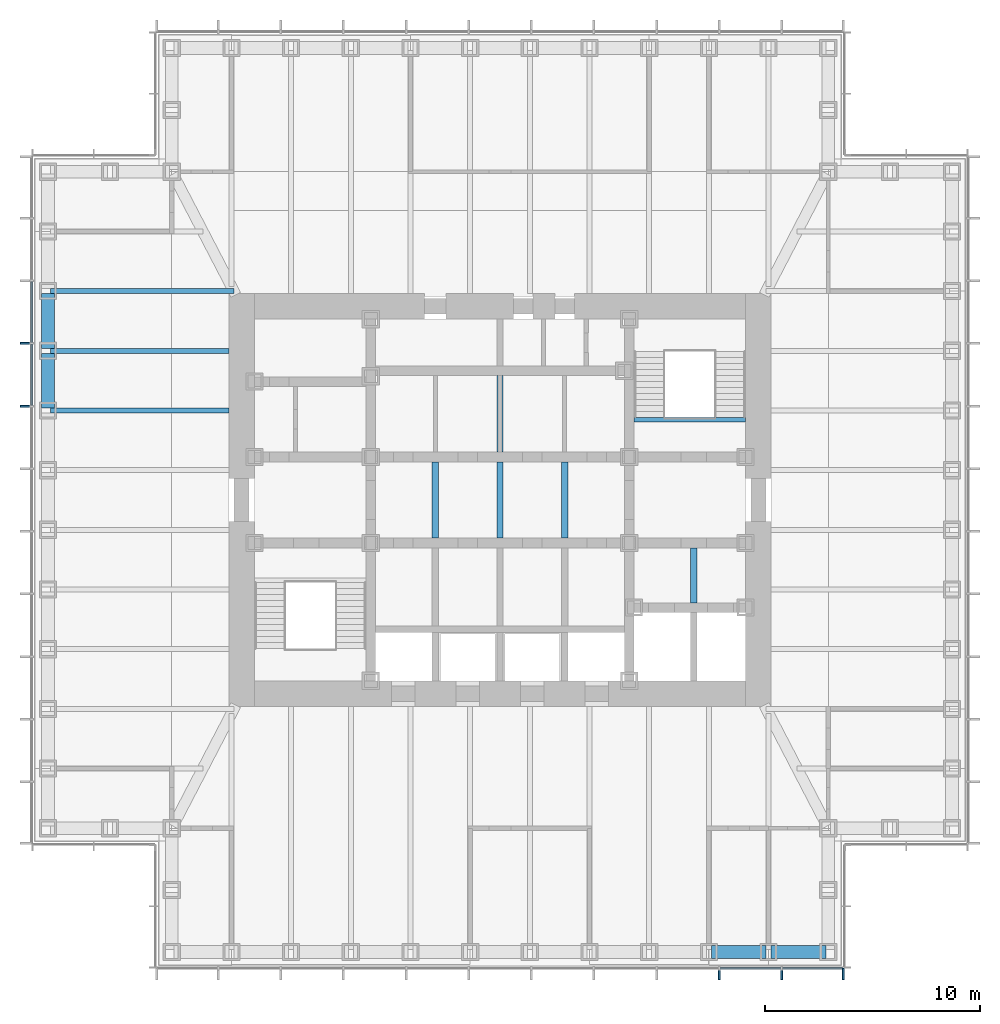
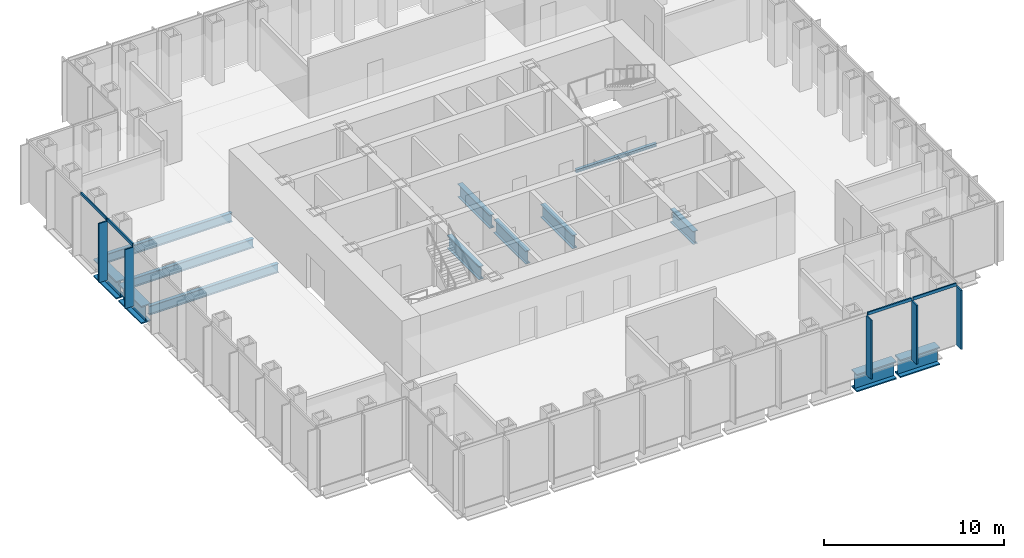
# One storey, part 3 of 16: 13 beams, 9 members, 2 elements without a shape of their own.
"""IFC4 building model written with IfcOpenShell, lengths in metres."""

from ifc_helpers import new_model, si_unit, direction, frame, origin, origin_2d, place, context, subcontext, project, spatial, rectangle, i_section, extrude, material, material_profile, profile_set, type_object, element, aggregate, save


model = new_model("IFC4")

# Units and contexts
model_context = context("Model", 3, precision=1e-05, world=origin(), true_north=direction((0.0, 1.0)))
body_context = subcontext(model_context, "Body", "Model", "MODEL_VIEW")
ifc_project = project(units=[si_unit("LENGTHUNIT", "METRE"), si_unit("AREAUNIT", "SQUARE_METRE"), si_unit("VOLUMEUNIT", "CUBIC_METRE"), si_unit("PLANEANGLEUNIT", "RADIAN"), si_unit("MASSUNIT", "GRAM", prefix="KILO")], contexts=[model_context])

# Site, building, storey
site_placement = place(None, origin())
site = spatial("IfcSite", under=ifc_project, at=site_placement, CompositionType="ELEMENT")
building_placement = place(site_placement, origin())
building = spatial("IfcBuilding", under=site, at=building_placement, Name="Daluyong Arena Tower", CompositionType="ELEMENT")
storey_placement = place(building_placement, frame((0.0, 0.0, 258.699951171875)))
storey = spatial("IfcBuildingStorey", under=building, at=storey_placement, Name="L58", CompositionType="ELEMENT", Elevation=258.699951171875)

# Curtain wall, members
ifc_material_1 = material(Name="Bronze anodised aluminium and glass", Category="aluminium")
curtain_wall_type = type_object("IfcCurtainWallType", Name="Curtain wall CW4", PredefinedType="USERDEFINED", material=ifc_material_1)
curtain_wall_1_placement = place(storey_placement, origin())
curtain_wall_1 = element("IfcCurtainWall", 1, at=curtain_wall_1_placement, inside=storey, type_object=curtain_wall_type, Name="curtain wall L58 S", ObjectType="UNITISED CURTAIN WALL", PredefinedType="USERDEFINED")
ifc_material_2 = material(Name="Bronze anodised aluminium fin", Category="aluminium")
ifc_material_profile_1 = material_profile(ifc_material_2, rectangle(XDim=0.550048828125, YDim=0.090087890625, at=origin_2d()))
ifc_profile_set_1 = profile_set([ifc_material_profile_1], Name="Bronze anodised aluminium fin")
member_type_1 = type_object("IfcMemberType", Name="CW4 bronze fin 550x90", PredefinedType="MULLION", material=ifc_profile_set_1)
member_1_placement = place(storey_placement, frame((66.181884765625, 57.97509765625, 0.0), z_axis=(0.0, 0.0, 1.0), x_axis=(0.0, 1.0, 0.0)))
member_1 = element("IfcMember", 2, at=member_1_placement, type_object=member_type_1, Name="curtain wall L58 S fin 10", PredefinedType="MULLION", context=body_context, shape_type="SweptSolid", body=[
    extrude(rectangle(XDim=0.550048828125, YDim=0.090087890625, at=origin_2d()), origin(), (0.0, 0.0, 1.0), 4.0),
])
member_2_placement = place(storey_placement, frame((69.0908203125, 57.97509765625, 0.0), z_axis=(0.0, 0.0, 1.0), x_axis=(0.0, 1.0, 0.0)))
member_2 = element("IfcMember", 3, at=member_2_placement, type_object=member_type_1, Name="curtain wall L58 S fin 11", PredefinedType="MULLION", context=body_context, shape_type="SweptSolid", body=[
    extrude(rectangle(XDim=0.550048828125, YDim=0.090087890625, at=origin_2d()), origin(), (0.0, 0.0, 1.0), 4.0),
])
member_3_placement = place(storey_placement, frame((71.955078125, 57.97509765625, 0.0), z_axis=(0.0, 0.0, 1.0), x_axis=(0.0, 1.0, 0.0)))
member_3 = element("IfcMember", 4, at=member_3_placement, type_object=member_type_1, Name="curtain wall L58 S fin 12", PredefinedType="MULLION", context=body_context, shape_type="SweptSolid", body=[
    extrude(rectangle(XDim=0.550048828125, YDim=0.090087890625, at=origin_2d()), origin(), (0.0, 0.0, 1.0), 4.0),
])

curtain_wall_2_placement = place(storey_placement, origin())
curtain_wall_2 = element("IfcCurtainWall", 5, at=curtain_wall_2_placement, inside=storey, type_object=curtain_wall_type, Name="curtain wall L58 W", ObjectType="UNITISED CURTAIN WALL", PredefinedType="USERDEFINED")
member_4_placement = place(storey_placement, frame((33.97509765625, 87.272705078125, 0.0), z_axis=(0.0, 0.0, 1.0), x_axis=(1.0, 0.0, 0.0)))
member_4 = element("IfcMember", 6, at=member_4_placement, type_object=member_type_1, Name="curtain wall L58 W fin 4", PredefinedType="MULLION", context=body_context, shape_type="SweptSolid", body=[
    extrude(rectangle(XDim=0.550048828125, YDim=0.090087890625, at=origin_2d()), origin(), (0.0, 0.0, 1.0), 4.0),
])
member_5_placement = place(storey_placement, frame((33.97509765625, 84.363525390625, 0.0), z_axis=(0.0, 0.0, 1.0), x_axis=(1.0, 0.0, 0.0)))
member_5 = element("IfcMember", 7, at=member_5_placement, type_object=member_type_1, Name="curtain wall L58 W fin 5", PredefinedType="MULLION", context=body_context, shape_type="SweptSolid", body=[
    extrude(rectangle(XDim=0.550048828125, YDim=0.090087890625, at=origin_2d()), origin(), (0.0, 0.0, 1.0), 4.0),
])

# Member
ifc_material_3 = material(Name="Bronze anodised aluminium", Category="aluminium")
ifc_material_profile_2 = material_profile(ifc_material_3, rectangle(XDim=0.090087890625, YDim=0.199951171875, at=origin_2d()))
ifc_profile_set_2 = profile_set([ifc_material_profile_2], Name="Bronze anodised aluminium")
member_type_2 = type_object("IfcMemberType", Name="CW4 stack transom 200x90", PredefinedType="USERDEFINED", material=ifc_profile_set_2)
member_6_placement = place(storey_placement, frame((66.226806640625, 58.25, 4.10009765625), z_axis=(1.0, 0.0, 0.0), x_axis=(0.0, 1.0, 0.0)))
member_6 = element("IfcMember", 8, at=member_6_placement, type_object=member_type_2, Name="curtain wall L58 S transom 10", ObjectType="TRANSOM", PredefinedType="USERDEFINED", context=body_context, shape_type="SweptSolid", body=[
    extrude(rectangle(XDim=0.090087890625, YDim=0.199951171875, at=origin_2d()), origin(), (0.0, 0.0, 1.0), 2.819091796875),
])

member_7_placement = place(storey_placement, frame((69.135986328125, 58.25, 4.10009765625), z_axis=(1.0, 0.0, 0.0), x_axis=(0.0, 1.0, 0.0)))
member_7 = element("IfcMember", 9, at=member_7_placement, type_object=member_type_2, Name="curtain wall L58 S transom 11", ObjectType="TRANSOM", PredefinedType="USERDEFINED", context=body_context, shape_type="SweptSolid", body=[
    extrude(rectangle(XDim=0.090087890625, YDim=0.199951171875, at=origin_2d()), origin(), (0.0, 0.0, 1.0), 2.77392578125),
])

aggregate(curtain_wall_1, [member_1, member_2, member_3, member_6, member_7])

member_8_placement = place(storey_placement, frame((34.25, 90.13671875, 4.10009765625), z_axis=(0.0, -1.0, 0.0), x_axis=(1.0, 0.0, 0.0)))
member_8 = element("IfcMember", 10, at=member_8_placement, type_object=member_type_2, Name="curtain wall L58 W transom 3", ObjectType="TRANSOM", PredefinedType="USERDEFINED", context=body_context, shape_type="SweptSolid", body=[
    extrude(rectangle(XDim=0.090087890625, YDim=0.199951171875, at=origin_2d()), origin(), (0.0, 0.0, 1.0), 2.819091796875),
])

member_9_placement = place(storey_placement, frame((34.25, 87.227783203125, 4.10009765625), z_axis=(0.0, -1.0, 0.0), x_axis=(1.0, 0.0, 0.0)))
member_9 = element("IfcMember", 11, at=member_9_placement, type_object=member_type_2, Name="curtain wall L58 W transom 4", ObjectType="TRANSOM", PredefinedType="USERDEFINED", context=body_context, shape_type="SweptSolid", body=[
    extrude(rectangle(XDim=0.090087890625, YDim=0.199951171875, at=origin_2d()), origin(), (0.0, 0.0, 1.0), 2.819091796875),
])

aggregate(curtain_wall_2, [member_4, member_5, member_8, member_9])

# Beams
ifc_material_4 = material(Name="Steel ASTM A992 Grade 50", Category="steel")
ifc_material_profile_3 = material_profile(ifc_material_4, i_section(OverallWidth=0.22900390625, OverallDepth=0.612060546875, WebThickness=0.011962890625, FlangeThickness=0.01953125, at=origin_2d()))
ifc_profile_set_3 = profile_set([ifc_material_profile_3], Name="Steel ASTM A992 Grade 50")
beam_type_1 = type_object("IfcBeamType", Name="Floor beam W24X84", PredefinedType="BEAM", material=ifc_profile_set_3)
beam_1_placement = place(storey_placement, frame((35.114990234375, 89.70458984375, -0.466064453125), z_axis=(1.0, 0.0, 0.0), x_axis=(0.0, 1.0, 0.0)))
element("IfcBeam", 12, at=beam_1_placement, inside=storey, type_object=beam_type_1, Name="floor beam FB3", PredefinedType="BEAM", context=body_context, shape_type="SweptSolid", body=[
    extrude(i_section(OverallWidth=0.22900390625, OverallDepth=0.612060546875, WebThickness=0.011962890625, FlangeThickness=0.01953125, at=origin_2d()), origin(), (0.0, 0.0, 1.0), 8.5185546875),
])
for number, where, z_axis, x_axis, name in (
    (13, (35.114990234375, 86.931884765625, -0.466064453125), (1.0, 0.0, 0.0), (0.0, 1.0, 0.0), "floor beam FB3"),
    (14, (35.114990234375, 84.1591796875, -0.466064453125), (1.0, 0.0, 0.0), (0.0, 1.0, 0.0), "floor beam FB3"),
):
    element("IfcBeam", number, at=place(storey_placement, frame(where, z_axis=z_axis, x_axis=x_axis)), inside=storey, type_object=beam_type_1, Name=name, PredefinedType="BEAM", context=body_context, shape_type="SweptSolid", body=[
        extrude(i_section(OverallWidth=0.22900390625, OverallDepth=0.612060546875, WebThickness=0.011962890625, FlangeThickness=0.01953125, at=origin_2d()), origin(), (0.0, 0.0, 1.0), 8.284912109375),
    ])
ifc_material_5 = material(Name="Steel ASTM A572 Grade 50", Category="steel")
ifc_material_profile_4 = material_profile(ifc_material_5, i_section(OverallWidth=0.300048828125, OverallDepth=0.89990234375, WebThickness=0.025, FlangeThickness=0.04, at=origin_2d()))
ifc_profile_set_4 = profile_set([ifc_material_profile_4], Name="Steel ASTM A572 Grade 50")
beam_type_2 = type_object("IfcBeamType", Name="Lift divider beam PG900X300", PredefinedType="BEAM", material=ifc_profile_set_4)
for number, where, z_axis, x_axis, name in (
    (15, (53.0, 78.22509765625, -0.60986328125), (0.0, 1.0, 0.0), (-1.0, 0.0, 0.0), "lift divider beam DB1"),
    (16, (56.0, 78.22509765625, -0.60986328125), (0.0, 1.0, 0.0), (-1.0, 0.0, 0.0), "lift divider beam DB1"),
    (17, (56.0, 82.22509765625, -0.60986328125), (0.0, 1.0, 0.0), (-1.0, 0.0, 0.0), "lift divider beam DB1"),
    (18, (59.0, 78.22509765625, -0.60986328125), (0.0, 1.0, 0.0), (-1.0, 0.0, 0.0), "lift divider beam DB1"),
):
    element("IfcBeam", number, at=place(storey_placement, frame(where, z_axis=z_axis, x_axis=x_axis)), inside=storey, type_object=beam_type_2, Name=name, PredefinedType="BEAM", context=body_context, shape_type="SweptSolid", body=[
        extrude(i_section(OverallWidth=0.300048828125, OverallDepth=0.89990234375, WebThickness=0.025, FlangeThickness=0.04, at=origin_2d()), origin(), (0.0, 0.0, 1.0), 3.5498046875),
    ])
beam_2_placement = place(storey_placement, frame((65.0, 75.22509765625, -0.60986328125), z_axis=(0.0, 1.0, 0.0), x_axis=(-1.0, 0.0, 0.0)))
element("IfcBeam", 19, at=beam_2_placement, inside=storey, type_object=beam_type_2, Name="lift divider beam DB1", PredefinedType="BEAM", context=body_context, shape_type="SweptSolid", body=[
    extrude(i_section(OverallWidth=0.300048828125, OverallDepth=0.89990234375, WebThickness=0.025, FlangeThickness=0.04, at=origin_2d()), origin(), (0.0, 0.0, 1.0), 2.5498046875),
])
ifc_material_6 = material(Name="Steel ASTM A572 Grade 50", Category="steel")
ifc_material_profile_5 = material_profile(ifc_material_6, i_section(OverallWidth=0.60009765625, OverallDepth=1.199951171875, WebThickness=0.03, FlangeThickness=0.08, at=origin_2d()))
ifc_profile_set_5 = profile_set([ifc_material_profile_5], Name="Steel ASTM A572 Grade 50")
beam_type_3 = type_object("IfcBeamType", Name="Spandrel Z4 PG1200X600", PredefinedType="SPANDREL", material=ifc_profile_set_5)
for number, where, z_axis, x_axis, name in (
    (20, (65.819580078125, 59.0, -0.760009765625), (1.0, 0.0, 0.0), (0.0, 1.0, 0.0), "spandrel z4 SB9"),
    (21, (68.59228515625, 59.0, -0.760009765625), (1.0, 0.0, 0.0), (0.0, 1.0, 0.0), "spandrel z4 SB9"),
    (22, (35.0, 89.589599609375, -0.760009765625), (0.0, -1.0, 0.0), (1.0, 0.0, 0.0), "spandrel z4 SB9"),
    (23, (35.0, 86.81689453125, -0.760009765625), (0.0, -1.0, 0.0), (1.0, 0.0, 0.0), "spandrel z4 SB9"),
):
    element("IfcBeam", number, at=place(storey_placement, frame(where, z_axis=z_axis, x_axis=x_axis)), inside=storey, type_object=beam_type_3, Name=name, PredefinedType="SPANDREL", context=body_context, shape_type="SweptSolid", body=[
        extrude(i_section(OverallWidth=0.60009765625, OverallDepth=1.199951171875, WebThickness=0.03, FlangeThickness=0.08, at=origin_2d()), origin(), (0.0, 0.0, 1.0), 2.542724609375),
    ])
ifc_material_7 = material(Name="Steel ASTM A992 Grade 50", Category="steel")
ifc_material_profile_6 = material_profile(ifc_material_7, i_section(OverallWidth=0.203125, OverallDepth=0.203125, WebThickness=0.00732421875, FlangeThickness=0.010986328125, at=origin_2d()))
ifc_profile_set_6 = profile_set([ifc_material_profile_6], Name="Steel ASTM A992 Grade 50")
beam_type_4 = type_object("IfcBeamType", Name="Stair landing beam W8X31", PredefinedType="BEAM", material=ifc_profile_set_6)
beam_3_placement = place(storey_placement, frame((62.22509765625, 83.723388671875, -0.261474609375), z_axis=(1.0, 0.0, 0.0), x_axis=(0.0, 1.0, 0.0)))
element("IfcBeam", 24, at=beam_3_placement, inside=storey, type_object=beam_type_4, Name="exit stair B landing beam", PredefinedType="BEAM", context=body_context, shape_type="SweptSolid", body=[
    extrude(i_section(OverallWidth=0.203125, OverallDepth=0.203125, WebThickness=0.00732421875, FlangeThickness=0.010986328125, at=origin_2d()), origin(), (0.0, 0.0, 1.0), 5.1748046875),
])

save(model, "model.ifc")
